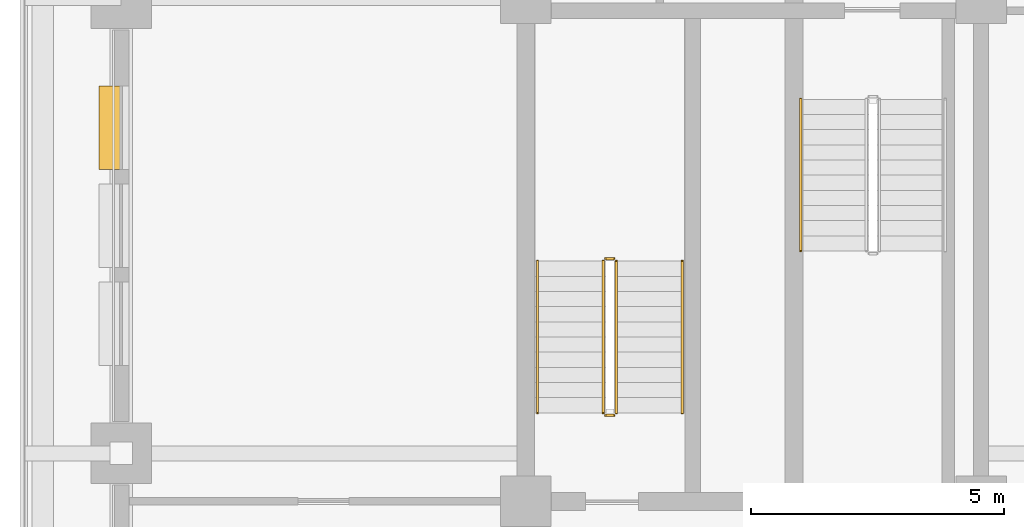
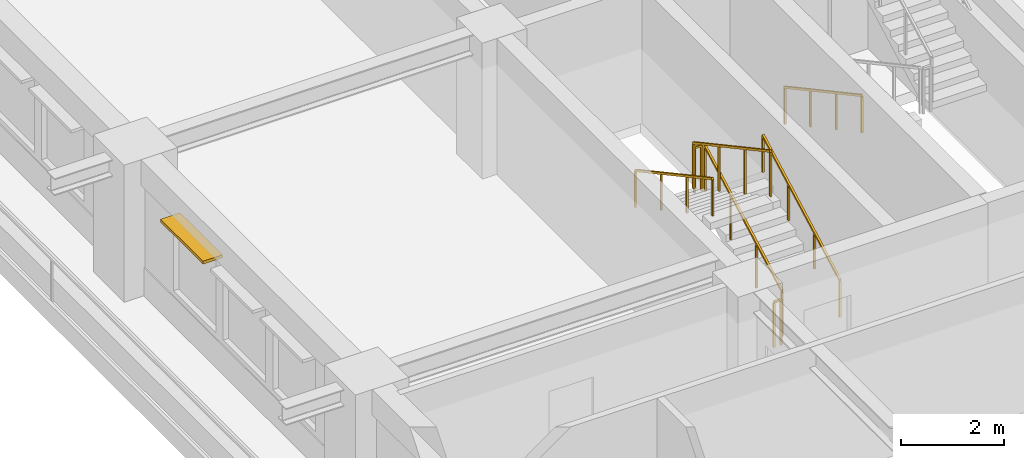
# One storey, part 8 of 15: 7 railings, 1 shading device.
"""IFC4 building model written with IfcOpenShell, lengths in metres."""

from ifc_helpers import new_model, si_unit, direction, frame, frame_2d, origin, origin_2d, place, context, subcontext, project, spatial, rectangle, extrude, material, layer, layer_set, type_object, element, save


model = new_model("IFC4")

# Units and contexts
model_context = context("Model", 3, precision=1e-05, world=origin(), true_north=direction((0.0, 1.0)))
body_context = subcontext(model_context, "Body", "Model", "MODEL_VIEW")
ifc_project = project(units=[si_unit("LENGTHUNIT", "METRE"), si_unit("AREAUNIT", "SQUARE_METRE"), si_unit("VOLUMEUNIT", "CUBIC_METRE"), si_unit("PLANEANGLEUNIT", "RADIAN"), si_unit("MASSUNIT", "GRAM", prefix="KILO")], contexts=[model_context])

# Site, building, storey
site_placement = place(None, origin())
site = spatial("IfcSite", under=ifc_project, at=site_placement, CompositionType="ELEMENT")
building_placement = place(site_placement, origin())
building = spatial("IfcBuilding", under=site, at=building_placement, Name="Zulmaris Gate Convention Tower", CompositionType="ELEMENT")
storey_placement = place(building_placement, frame((0.0, 0.0, 139.199951171875)))
storey = spatial("IfcBuildingStorey", under=building, at=storey_placement, Name="L35", CompositionType="ELEMENT", Elevation=139.199951171875)

# Railings
ifc_material_1 = material(Name="Painted Galvanised Steel", Category="steel")
railing_type_1 = type_object("IfcRailingType", Name="RL-STG-1150", PredefinedType="GUARDRAIL", material=ifc_material_1)
railing_1_placement = place(storey_placement, frame((-18.2099609375, -8.199951171875, 0.162353515625)))
element("IfcRailing", 1, at=railing_1_placement, inside=storey, type_object=railing_type_1, Name="L35 ST-3 stair guard 1", PredefinedType="GUARDRAIL", context=body_context, shape_type="SweptSolid", body=[
    extrude(rectangle(XDim=0.048095703125, YDim=0.048095703125, at=origin_2d()), frame((0.0, 0.0, 1.076171875), z_axis=(0.0, 0.879591569277, 0.475729619907), x_axis=(-1.0, 0.0, 0.0)), (0.0, 0.0, 1.0), 3.41064453125),
    extrude(rectangle(XDim=0.0419921875, YDim=0.0419921875, at=origin_2d()), origin(), (0.0, 0.0, 1.0), 1.052001953125),
    extrude(rectangle(XDim=0.0419921875, YDim=0.0419921875, at=origin_2d()), frame((0.0, 1.0, 0.540771484375)), (0.0, 0.0, 1.0), 1.052001953125),
    extrude(rectangle(XDim=0.0419921875, YDim=0.0419921875, at=origin_2d()), frame((0.0, 2.0, 1.081787109375)), (0.0, 0.0, 1.0), 1.052001953125),
    extrude(rectangle(XDim=0.0419921875, YDim=0.0419921875, at=origin_2d()), frame((0.0, 3.0, 1.62255859375)), (0.0, 0.0, 1.0), 1.052001953125),
])
railing_2_placement = place(storey_placement, frame((-18.260009765625, -5.14990234375, 1.784912109375)))
element("IfcRailing", 2, at=railing_2_placement, inside=storey, type_object=railing_type_1, Name="L35 ST-3 stair guard 2", PredefinedType="GUARDRAIL", context=body_context, shape_type="SweptSolid", body=[
    extrude(rectangle(XDim=0.048095703125, YDim=0.048095703125, at=origin_2d()), frame((0.0, 0.0, 1.076171875), z_axis=(-1.0, 0.0, 0.0), x_axis=(0.0, -1.0, 0.0)), (0.0, 0.0, 1.0), 0.159912109375),
    extrude(rectangle(XDim=0.0419921875, YDim=0.0419921875, at=origin_2d()), origin(), (0.0, 0.0, 1.0), 1.052001953125),
    extrude(rectangle(XDim=0.0419921875, YDim=0.0419921875, at=origin_2d()), frame((-0.159912109375, 0.0, 0.0)), (0.0, 0.0, 1.0), 1.052001953125),
])
railing_3_placement = place(storey_placement, frame((-18.469970703125, -5.199951171875, 1.947265625)))
element("IfcRailing", 3, at=railing_3_placement, inside=storey, type_object=railing_type_1, Name="L35 ST-3 stair guard 3", PredefinedType="GUARDRAIL", context=body_context, shape_type="SweptSolid", body=[
    extrude(rectangle(XDim=0.048095703125, YDim=0.048095703125, at=origin_2d()), frame((0.0, 0.0, 1.076171875), z_axis=(0.0, -0.879591569277, 0.475729619907), x_axis=(1.0, 0.0, 0.0)), (0.0, 0.0, 1.0), 3.41064453125),
    extrude(rectangle(XDim=0.0419921875, YDim=0.0419921875, at=origin_2d()), origin(), (0.0, 0.0, 1.0), 1.052001953125),
    extrude(rectangle(XDim=0.0419921875, YDim=0.0419921875, at=origin_2d()), frame((0.0, -1.0, 0.540771484375)), (0.0, 0.0, 1.0), 1.052001953125),
    extrude(rectangle(XDim=0.0419921875, YDim=0.0419921875, at=origin_2d()), frame((0.0, -2.0, 1.081787109375)), (0.0, 0.0, 1.0), 1.052001953125),
    extrude(rectangle(XDim=0.0419921875, YDim=0.0419921875, at=origin_2d()), frame((0.0, -3.0, 1.62255859375)), (0.0, 0.0, 1.0), 1.052001953125),
])
railing_4_placement = place(storey_placement, frame((-18.260009765625, -8.25, 0.0)))
element("IfcRailing", 4, at=railing_4_placement, inside=storey, type_object=railing_type_1, Name="L35 ST-3 stair guard 4", PredefinedType="GUARDRAIL", context=body_context, shape_type="SweptSolid", body=[
    extrude(rectangle(XDim=0.048095703125, YDim=0.048095703125, at=origin_2d()), frame((0.0, 0.0, 1.076171875), z_axis=(-1.0, 0.0, 0.0), x_axis=(0.0, -1.0, 0.0)), (0.0, 0.0, 1.0), 0.159912109375),
    extrude(rectangle(XDim=0.0419921875, YDim=0.0419921875, at=origin_2d()), origin(), (0.0, 0.0, 1.0), 1.052001953125),
    extrude(rectangle(XDim=0.0419921875, YDim=0.0419921875, at=origin_2d()), frame((-0.159912109375, 0.0, 0.0)), (0.0, 0.0, 1.0), 1.052001953125),
])
ifc_material_2 = material(Name="Brushed Stainless Steel", Category="steel")
railing_type_2 = type_object("IfcRailingType", Name="RL-STH-900", PredefinedType="HANDRAIL", material=ifc_material_2)
railing_5_placement = place(storey_placement, frame((-14.570068359375, -2.0, 0.162353515625)))
element("IfcRailing", 5, at=railing_5_placement, inside=storey, type_object=railing_type_2, Name="L35 ST-1 stair handrail 1", PredefinedType="HANDRAIL", context=body_context, shape_type="SweptSolid", body=[
    extrude(rectangle(XDim=0.048095703125, YDim=0.048095703125, at=origin_2d()), frame((0.0, 0.0, 0.8759765625), z_axis=(0.0, -0.879591569277, 0.475729619907), x_axis=(1.0, 0.0, 0.0)), (0.0, 0.0, 1.0), 3.41064453125),
    extrude(rectangle(XDim=0.0419921875, YDim=0.0419921875, at=origin_2d()), origin(), (0.0, 0.0, 1.0), 0.851806640625),
    extrude(rectangle(XDim=0.0419921875, YDim=0.0419921875, at=origin_2d()), frame((0.0, -1.0, 0.540771484375)), (0.0, 0.0, 1.0), 0.851806640625),
    extrude(rectangle(XDim=0.0419921875, YDim=0.0419921875, at=origin_2d()), frame((0.0, -2.0, 1.081787109375)), (0.0, 0.0, 1.0), 0.851806640625),
    extrude(rectangle(XDim=0.0419921875, YDim=0.0419921875, at=origin_2d()), frame((0.0, -3.0, 1.62255859375)), (0.0, 0.0, 1.0), 0.851806640625),
])
railing_6_placement = place(storey_placement, frame((-16.909912109375, -8.199951171875, 0.162353515625)))
element("IfcRailing", 6, at=railing_6_placement, inside=storey, type_object=railing_type_2, Name="L35 ST-3 stair handrail 1", PredefinedType="HANDRAIL", context=body_context, shape_type="SweptSolid", body=[
    extrude(rectangle(XDim=0.048095703125, YDim=0.048095703125, at=origin_2d()), frame((0.0, 0.0, 0.8759765625), z_axis=(0.0, 0.879591569277, 0.475729619907), x_axis=(-1.0, 0.0, 0.0)), (0.0, 0.0, 1.0), 3.41064453125),
    extrude(rectangle(XDim=0.0419921875, YDim=0.0419921875, at=origin_2d()), origin(), (0.0, 0.0, 1.0), 0.851806640625),
    extrude(rectangle(XDim=0.0419921875, YDim=0.0419921875, at=origin_2d()), frame((0.0, 1.0, 0.540771484375)), (0.0, 0.0, 1.0), 0.851806640625),
    extrude(rectangle(XDim=0.0419921875, YDim=0.0419921875, at=origin_2d()), frame((0.0, 2.0, 1.081787109375)), (0.0, 0.0, 1.0), 0.851806640625),
    extrude(rectangle(XDim=0.0419921875, YDim=0.0419921875, at=origin_2d()), frame((0.0, 3.0, 1.62255859375)), (0.0, 0.0, 1.0), 0.851806640625),
])
railing_7_placement = place(storey_placement, frame((-19.77001953125, -5.199951171875, 1.947265625)))
element("IfcRailing", 7, at=railing_7_placement, inside=storey, type_object=railing_type_2, Name="L35 ST-3 stair handrail 2", PredefinedType="HANDRAIL", context=body_context, shape_type="SweptSolid", body=[
    extrude(rectangle(XDim=0.048095703125, YDim=0.048095703125, at=origin_2d()), frame((0.0, 0.0, 0.8759765625), z_axis=(0.0, -0.879591569277, 0.475729619907), x_axis=(1.0, 0.0, 0.0)), (0.0, 0.0, 1.0), 3.41064453125),
    extrude(rectangle(XDim=0.0419921875, YDim=0.0419921875, at=origin_2d()), origin(), (0.0, 0.0, 1.0), 0.851806640625),
    extrude(rectangle(XDim=0.0419921875, YDim=0.0419921875, at=origin_2d()), frame((0.0, -1.0, 0.540771484375)), (0.0, 0.0, 1.0), 0.851806640625),
    extrude(rectangle(XDim=0.0419921875, YDim=0.0419921875, at=origin_2d()), frame((0.0, -2.0, 1.081787109375)), (0.0, 0.0, 1.0), 0.851806640625),
    extrude(rectangle(XDim=0.0419921875, YDim=0.0419921875, at=origin_2d()), frame((0.0, -3.0, 1.62255859375)), (0.0, 0.0, 1.0), 0.851806640625),
])

# Shading device
ifc_material_3 = material(Name="Glazed Ceramic Terracotta", Category="masonry")
ifc_layer = layer(ifc_material_3, 0.070068359375, Name="Glazed Ceramic Terracotta")
ifc_layer_set = layer_set([ifc_layer], Name="Glazed Ceramic Terracotta")
shading_device_type = type_object("IfcShadingDeviceType", Name="SHD-SUNSHADE-TC", PredefinedType="AWNING", material=ifc_layer_set)
shading_device_placement = place(storey_placement, frame((-28.219970703125, -1.739990234375, 2.530029296875), z_axis=(0.0, 0.0, 1.0), x_axis=(0.0, -1.0, 0.0)))
element("IfcShadingDevice", 8, at=shading_device_placement, inside=storey, type_object=shading_device_type, Name="SHD-EW-L35-W-1_0-1", PredefinedType="AWNING", context=body_context, shape_type="SweptSolid", body=[
    extrude(rectangle(XDim=1.64990234375, YDim=0.43994140625, at=frame_2d((0.824951171875, 0.0))), origin(), (0.0, 0.0, 1.0), 0.070068359375),
])

save(model, "model.ifc")
